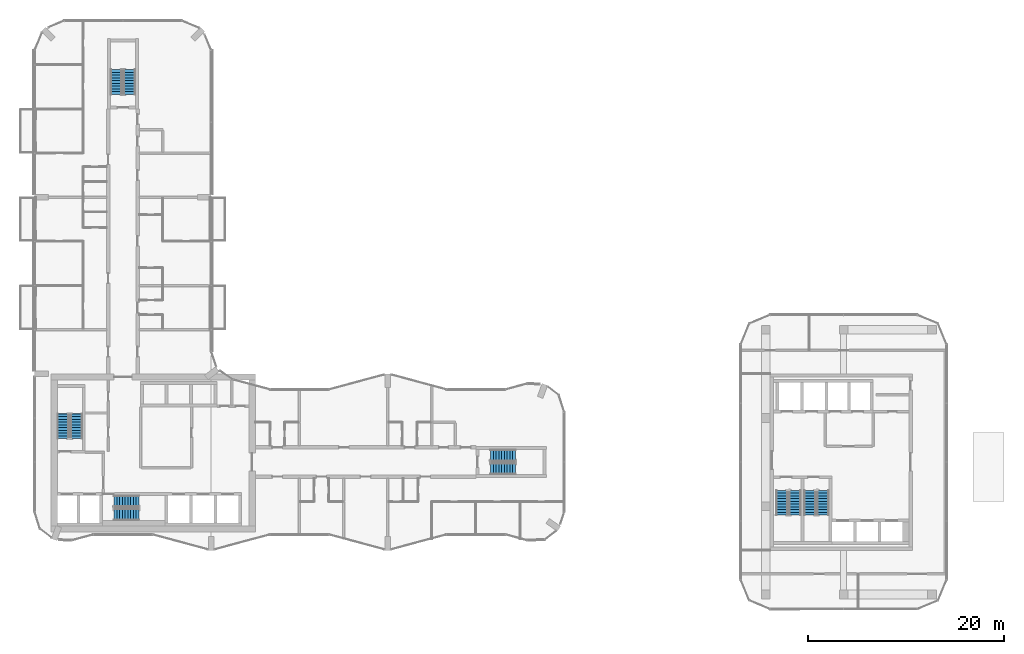
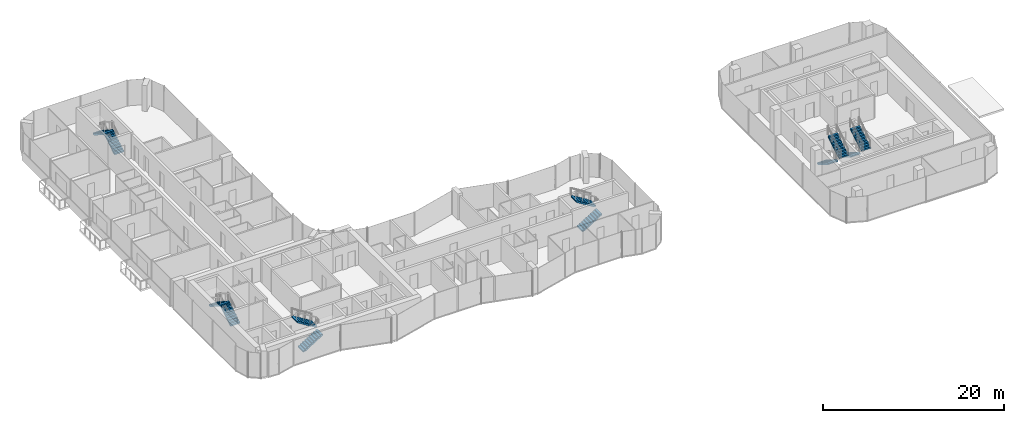
# One storey, part 16 of 19: 12 stair flights, 6 elements without a shape of their own.
"""IFC4 building model written with IfcOpenShell, lengths in metres."""

from ifc_helpers import new_model, si_unit, direction, frame, origin, place, context, subcontext, project, spatial, polyline, outline, extrude, material, type_object, element, aggregate, save


model = new_model("IFC4")

# Units and contexts
model_context = context("Model", 3, precision=1e-05, world=origin(), true_north=direction((0.0, 1.0)))
body_context = subcontext(model_context, "Body", "Model", "MODEL_VIEW")
ifc_project = project(units=[si_unit("LENGTHUNIT", "METRE"), si_unit("AREAUNIT", "SQUARE_METRE"), si_unit("VOLUMEUNIT", "CUBIC_METRE"), si_unit("PLANEANGLEUNIT", "RADIAN"), si_unit("MASSUNIT", "GRAM", prefix="KILO")], contexts=[model_context])

# Site, building, storey
site_placement = place(None, origin())
site = spatial("IfcSite", under=ifc_project, at=site_placement, CompositionType="ELEMENT")
building_placement = place(site_placement, origin())
building = spatial("IfcBuilding", under=site, at=building_placement, Name="Plateau Cross Towers", CompositionType="ELEMENT")
storey_placement = place(building_placement, frame((0.0, 0.0, 120.300048828125)))
storey = spatial("IfcBuildingStorey", under=building, at=storey_placement, Name="L31", CompositionType="ELEMENT", Elevation=120.300048828125)

# Stair, stair flights
ifc_material = material(Name="Concrete C40/50", Category="concrete")
stair_type = type_object("IfcStairType", Name="ST-TWR", PredefinedType="HALF_TURN_STAIR", material=ifc_material)
stair_1_placement = place(storey_placement, origin())
stair_1 = element("IfcStair", 1, at=stair_1_placement, inside=storey, type_object=stair_type, Name="L31 Protected Exit Stair ST-1", PredefinedType="HALF_TURN_STAIR")
stair_flight_type = type_object("IfcStairFlightType", Name="SFL-RC", PredefinedType="STRAIGHT", material=ifc_material)
stair_flight_1_placement = place(storey_placement, frame((4.25, 11.39990234375, 0.0), z_axis=(0.0, 0.0, 1.0), x_axis=(0.0, 1.0, 0.0)))
stair_flight_1 = element("IfcStairFlight", 2, at=stair_flight_1_placement, type_object=stair_flight_type, Name="ST-1 flight 1", NumberOfRisers=10, NumberOfTreads=9, PredefinedType="STRAIGHT", RiserHeight=0.175, TreadLength=0.28, context=body_context, shape_type="SweptSolid", body=[
    extrude(outline(polyline([(-0.0048828125, -0.010009765625), (-0.0048828125, 0.0), (0.0, 0.0), (0.0, 0.175048828125), (0.280029296875, 0.175048828125), (0.280029296875, 0.35009765625), (0.56005859375, 0.35009765625), (0.56005859375, 0.52490234375), (0.840087890625, 0.52490234375), (0.840087890625, 0.699951171875), (1.1201171875, 0.699951171875), (1.1201171875, 0.875), (1.39990234375, 0.875), (1.39990234375, 1.050048828125), (1.679931640625, 1.050048828125), (1.679931640625, 1.22509765625), (1.9599609375, 1.22509765625), (1.9599609375, 1.39990234375), (2.239990234375, 1.39990234375), (2.239990234375, 1.574951171875), (2.52001953125, 1.574951171875), (2.52490234375, 1.56494140625), (2.52490234375, 1.398193359375), (2.52001953125, 1.398193359375), (0.28271484375, 0.0), (0.02001953125, 0.0), (0.02001953125, -0.010009765625), (-0.0048828125, -0.010009765625)])), frame((0.0, 0.60009765625, 0.0), z_axis=(0.0, -1.0, 0.0), x_axis=(1.0, 0.0, 0.0)), (0.0, 0.0, 1.0), 1.199951171875),
])
stair_flight_2_placement = place(storey_placement, frame((2.89990234375, 13.919921875, 1.75), z_axis=(0.0, 0.0, 1.0), x_axis=(0.0, -1.0, 0.0)))
stair_flight_2 = element("IfcStairFlight", 3, at=stair_flight_2_placement, type_object=stair_flight_type, Name="ST-1 flight 2", NumberOfRisers=10, NumberOfTreads=9, PredefinedType="STRAIGHT", RiserHeight=0.175, TreadLength=0.28, context=body_context, shape_type="SweptSolid", body=[
    extrude(outline(polyline([(-0.0048828125, -0.010009765625), (-0.0048828125, 0.0), (0.0, 0.0), (0.0, 0.175048828125), (0.280029296875, 0.175048828125), (0.280029296875, 0.35009765625), (0.56005859375, 0.35009765625), (0.56005859375, 0.52490234375), (0.840087890625, 0.52490234375), (0.840087890625, 0.699951171875), (1.1201171875, 0.699951171875), (1.1201171875, 0.875), (1.39990234375, 0.875), (1.39990234375, 1.050048828125), (1.679931640625, 1.050048828125), (1.679931640625, 1.22509765625), (1.9599609375, 1.22509765625), (1.9599609375, 1.39990234375), (2.239990234375, 1.39990234375), (2.239990234375, 1.574951171875), (2.52001953125, 1.574951171875), (2.52490234375, 1.56494140625), (2.52490234375, 1.398193359375), (2.52001953125, 1.398193359375), (0.28271484375, 0.0), (0.02001953125, 0.0), (0.02001953125, -0.010009765625), (-0.0048828125, -0.010009765625)])), frame((0.0, 0.60009765625, 0.0), z_axis=(0.0, -1.0, 0.0), x_axis=(1.0, 0.0, 0.0)), (0.0, 0.0, 1.0), 1.199951171875),
])
aggregate(stair_1, [stair_flight_1, stair_flight_2])

stair_2_placement = place(storey_placement, origin())
stair_2 = element("IfcStair", 4, at=stair_2_placement, inside=storey, type_object=stair_type, Name="L31 Protected Exit Stair ST-2", PredefinedType="HALF_TURN_STAIR")
stair_flight_3_placement = place(storey_placement, frame((8.10009765625, 3.64990234375, 0.0), z_axis=(0.0, 0.0, 1.0), x_axis=(1.0, 0.0, 0.0)))
stair_flight_3 = element("IfcStairFlight", 5, at=stair_flight_3_placement, type_object=stair_flight_type, Name="ST-2 flight 1", NumberOfRisers=10, NumberOfTreads=9, PredefinedType="STRAIGHT", RiserHeight=0.175, TreadLength=0.28, context=body_context, shape_type="SweptSolid", body=[
    extrude(outline(polyline([(-0.0048828125, -0.010009765625), (-0.0048828125, 0.0), (0.0, 0.0), (0.0, 0.175048828125), (0.280029296875, 0.175048828125), (0.280029296875, 0.35009765625), (0.56005859375, 0.35009765625), (0.56005859375, 0.52490234375), (0.840087890625, 0.52490234375), (0.840087890625, 0.699951171875), (1.1201171875, 0.699951171875), (1.1201171875, 0.875), (1.39990234375, 0.875), (1.39990234375, 1.050048828125), (1.679931640625, 1.050048828125), (1.679931640625, 1.22509765625), (1.9599609375, 1.22509765625), (1.9599609375, 1.39990234375), (2.239990234375, 1.39990234375), (2.239990234375, 1.574951171875), (2.52001953125, 1.574951171875), (2.52490234375, 1.56494140625), (2.52490234375, 1.398193359375), (2.52001953125, 1.398193359375), (0.28271484375, 0.0), (0.02001953125, 0.0), (0.02001953125, -0.010009765625), (-0.0048828125, -0.010009765625)])), frame((0.0, 0.60009765625, 0.0), z_axis=(0.0, -1.0, 0.0), x_axis=(1.0, 0.0, 0.0)), (0.0, 0.0, 1.0), 1.199951171875),
])
stair_flight_4_placement = place(storey_placement, frame((10.6201171875, 5.0, 1.75), z_axis=(0.0, 0.0, 1.0), x_axis=(-1.0, 0.0, 0.0)))
stair_flight_4 = element("IfcStairFlight", 6, at=stair_flight_4_placement, type_object=stair_flight_type, Name="ST-2 flight 2", NumberOfRisers=10, NumberOfTreads=9, PredefinedType="STRAIGHT", RiserHeight=0.175, TreadLength=0.28, context=body_context, shape_type="SweptSolid", body=[
    extrude(outline(polyline([(-0.0048828125, -0.010009765625), (-0.0048828125, 0.0), (0.0, 0.0), (0.0, 0.175048828125), (0.280029296875, 0.175048828125), (0.280029296875, 0.35009765625), (0.56005859375, 0.35009765625), (0.56005859375, 0.52490234375), (0.840087890625, 0.52490234375), (0.840087890625, 0.699951171875), (1.1201171875, 0.699951171875), (1.1201171875, 0.875), (1.39990234375, 0.875), (1.39990234375, 1.050048828125), (1.679931640625, 1.050048828125), (1.679931640625, 1.22509765625), (1.9599609375, 1.22509765625), (1.9599609375, 1.39990234375), (2.239990234375, 1.39990234375), (2.239990234375, 1.574951171875), (2.52001953125, 1.574951171875), (2.52490234375, 1.56494140625), (2.52490234375, 1.398193359375), (2.52001953125, 1.398193359375), (0.28271484375, 0.0), (0.02001953125, 0.0), (0.02001953125, -0.010009765625), (-0.0048828125, -0.010009765625)])), frame((0.0, 0.60009765625, 0.0), z_axis=(0.0, -1.0, 0.0), x_axis=(1.0, 0.0, 0.0)), (0.0, 0.0, 1.0), 1.199951171875),
])
aggregate(stair_2, [stair_flight_3, stair_flight_4])

stair_3_placement = place(storey_placement, origin())
stair_3 = element("IfcStair", 7, at=stair_3_placement, inside=storey, type_object=stair_type, Name="L31 Protected Exit Stair SB-1", PredefinedType="HALF_TURN_STAIR")
stair_flight_5_placement = place(storey_placement, frame((76.199951171875, 6.10009765625, 0.0), z_axis=(0.0, 0.0, 1.0), x_axis=(0.0, -1.0, 0.0)))
stair_flight_5 = element("IfcStairFlight", 8, at=stair_flight_5_placement, type_object=stair_flight_type, Name="SB-1 flight 1", NumberOfRisers=10, NumberOfTreads=9, PredefinedType="STRAIGHT", RiserHeight=0.175, TreadLength=0.28, context=body_context, shape_type="SweptSolid", body=[
    extrude(outline(polyline([(-0.0048828125, -0.010009765625), (-0.0048828125, 0.0), (0.0, 0.0), (0.0, 0.175048828125), (0.280029296875, 0.175048828125), (0.280029296875, 0.35009765625), (0.56005859375, 0.35009765625), (0.56005859375, 0.52490234375), (0.840087890625, 0.52490234375), (0.840087890625, 0.699951171875), (1.1201171875, 0.699951171875), (1.1201171875, 0.875), (1.39990234375, 0.875), (1.39990234375, 1.050048828125), (1.679931640625, 1.050048828125), (1.679931640625, 1.22509765625), (1.9599609375, 1.22509765625), (1.9599609375, 1.39990234375), (2.239990234375, 1.39990234375), (2.239990234375, 1.574951171875), (2.52001953125, 1.574951171875), (2.52490234375, 1.56494140625), (2.52490234375, 1.398193359375), (2.52001953125, 1.398193359375), (0.28271484375, 0.0), (0.02001953125, 0.0), (0.02001953125, -0.010009765625), (-0.0048828125, -0.010009765625)])), frame((0.0, 0.60009765625, 0.0), z_axis=(0.0, -1.0, 0.0), x_axis=(1.0, 0.0, 0.0)), (0.0, 0.0, 1.0), 1.199951171875),
])
stair_flight_6_placement = place(storey_placement, frame((77.550048828125, 3.580078125, 1.75), z_axis=(0.0, 0.0, 1.0), x_axis=(0.0, 1.0, 0.0)))
stair_flight_6 = element("IfcStairFlight", 9, at=stair_flight_6_placement, type_object=stair_flight_type, Name="SB-1 flight 2", NumberOfRisers=10, NumberOfTreads=9, PredefinedType="STRAIGHT", RiserHeight=0.175, TreadLength=0.28, context=body_context, shape_type="SweptSolid", body=[
    extrude(outline(polyline([(-0.0048828125, -0.010009765625), (-0.0048828125, 0.0), (0.0, 0.0), (0.0, 0.175048828125), (0.280029296875, 0.175048828125), (0.280029296875, 0.35009765625), (0.56005859375, 0.35009765625), (0.56005859375, 0.52490234375), (0.840087890625, 0.52490234375), (0.840087890625, 0.699951171875), (1.1201171875, 0.699951171875), (1.1201171875, 0.875), (1.39990234375, 0.875), (1.39990234375, 1.050048828125), (1.679931640625, 1.050048828125), (1.679931640625, 1.22509765625), (1.9599609375, 1.22509765625), (1.9599609375, 1.39990234375), (2.239990234375, 1.39990234375), (2.239990234375, 1.574951171875), (2.52001953125, 1.574951171875), (2.52490234375, 1.56494140625), (2.52490234375, 1.398193359375), (2.52001953125, 1.398193359375), (0.28271484375, 0.0), (0.02001953125, 0.0), (0.02001953125, -0.010009765625), (-0.0048828125, -0.010009765625)])), frame((0.0, 0.60009765625, 0.0), z_axis=(0.0, -1.0, 0.0), x_axis=(1.0, 0.0, 0.0)), (0.0, 0.0, 1.0), 1.199951171875),
])
aggregate(stair_3, [stair_flight_5, stair_flight_6])

stair_4_placement = place(storey_placement, origin())
stair_4 = element("IfcStair", 10, at=stair_4_placement, inside=storey, type_object=stair_type, Name="L31 Protected Exit Stair SB-2", PredefinedType="HALF_TURN_STAIR")
stair_flight_7_placement = place(storey_placement, frame((79.050048828125, 6.10009765625, 0.0), z_axis=(0.0, 0.0, 1.0), x_axis=(0.0, -1.0, 0.0)))
stair_flight_7 = element("IfcStairFlight", 11, at=stair_flight_7_placement, type_object=stair_flight_type, Name="SB-2 flight 1", NumberOfRisers=10, NumberOfTreads=9, PredefinedType="STRAIGHT", RiserHeight=0.175, TreadLength=0.28, context=body_context, shape_type="SweptSolid", body=[
    extrude(outline(polyline([(-0.0048828125, -0.010009765625), (-0.0048828125, 0.0), (0.0, 0.0), (0.0, 0.175048828125), (0.280029296875, 0.175048828125), (0.280029296875, 0.35009765625), (0.56005859375, 0.35009765625), (0.56005859375, 0.52490234375), (0.840087890625, 0.52490234375), (0.840087890625, 0.699951171875), (1.1201171875, 0.699951171875), (1.1201171875, 0.875), (1.39990234375, 0.875), (1.39990234375, 1.050048828125), (1.679931640625, 1.050048828125), (1.679931640625, 1.22509765625), (1.9599609375, 1.22509765625), (1.9599609375, 1.39990234375), (2.239990234375, 1.39990234375), (2.239990234375, 1.574951171875), (2.52001953125, 1.574951171875), (2.52490234375, 1.56494140625), (2.52490234375, 1.398193359375), (2.52001953125, 1.398193359375), (0.28271484375, 0.0), (0.02001953125, 0.0), (0.02001953125, -0.010009765625), (-0.0048828125, -0.010009765625)])), frame((0.0, 0.60009765625, 0.0), z_axis=(0.0, -1.0, 0.0), x_axis=(1.0, 0.0, 0.0)), (0.0, 0.0, 1.0), 1.199951171875),
])
stair_flight_8_placement = place(storey_placement, frame((80.39990234375, 3.580078125, 1.75), z_axis=(0.0, 0.0, 1.0), x_axis=(0.0, 1.0, 0.0)))
stair_flight_8 = element("IfcStairFlight", 12, at=stair_flight_8_placement, type_object=stair_flight_type, Name="SB-2 flight 2", NumberOfRisers=10, NumberOfTreads=9, PredefinedType="STRAIGHT", RiserHeight=0.175, TreadLength=0.28, context=body_context, shape_type="SweptSolid", body=[
    extrude(outline(polyline([(-0.0048828125, -0.010009765625), (-0.0048828125, 0.0), (0.0, 0.0), (0.0, 0.175048828125), (0.280029296875, 0.175048828125), (0.280029296875, 0.35009765625), (0.56005859375, 0.35009765625), (0.56005859375, 0.52490234375), (0.840087890625, 0.52490234375), (0.840087890625, 0.699951171875), (1.1201171875, 0.699951171875), (1.1201171875, 0.875), (1.39990234375, 0.875), (1.39990234375, 1.050048828125), (1.679931640625, 1.050048828125), (1.679931640625, 1.22509765625), (1.9599609375, 1.22509765625), (1.9599609375, 1.39990234375), (2.239990234375, 1.39990234375), (2.239990234375, 1.574951171875), (2.52001953125, 1.574951171875), (2.52490234375, 1.56494140625), (2.52490234375, 1.398193359375), (2.52001953125, 1.398193359375), (0.28271484375, 0.0), (0.02001953125, 0.0), (0.02001953125, -0.010009765625), (-0.0048828125, -0.010009765625)])), frame((0.0, 0.60009765625, 0.0), z_axis=(0.0, -1.0, 0.0), x_axis=(1.0, 0.0, 0.0)), (0.0, 0.0, 1.0), 1.199951171875),
])
aggregate(stair_4, [stair_flight_7, stair_flight_8])

stair_5_placement = place(storey_placement, origin())
stair_5 = element("IfcStair", 13, at=stair_5_placement, inside=storey, type_object=stair_type, Name="L31 Protected Exit Stair E", PredefinedType="HALF_TURN_STAIR")
stair_flight_9_placement = place(storey_placement, frame((46.5, 8.324951171875, 0.0), z_axis=(0.0, 0.0, 1.0), x_axis=(1.0, 0.0, 0.0)))
stair_flight_9 = element("IfcStairFlight", 14, at=stair_flight_9_placement, type_object=stair_flight_type, Name="ES-E flight 1", NumberOfRisers=10, NumberOfTreads=9, PredefinedType="STRAIGHT", RiserHeight=0.175, TreadLength=0.28, context=body_context, shape_type="SweptSolid", body=[
    extrude(outline(polyline([(-0.0048828125, -0.010009765625), (-0.0048828125, 0.0), (0.0, 0.0), (0.0, 0.175048828125), (0.280029296875, 0.175048828125), (0.280029296875, 0.35009765625), (0.56005859375, 0.35009765625), (0.56005859375, 0.52490234375), (0.840087890625, 0.52490234375), (0.840087890625, 0.699951171875), (1.1201171875, 0.699951171875), (1.1201171875, 0.875), (1.39990234375, 0.875), (1.39990234375, 1.050048828125), (1.679931640625, 1.050048828125), (1.679931640625, 1.22509765625), (1.9599609375, 1.22509765625), (1.9599609375, 1.39990234375), (2.239990234375, 1.39990234375), (2.239990234375, 1.574951171875), (2.52001953125, 1.574951171875), (2.52490234375, 1.56494140625), (2.52490234375, 1.398193359375), (2.52001953125, 1.398193359375), (0.28271484375, 0.0), (0.02001953125, 0.0), (0.02001953125, -0.010009765625), (-0.0048828125, -0.010009765625)])), frame((0.0, 0.60009765625, 0.0), z_axis=(0.0, -1.0, 0.0), x_axis=(1.0, 0.0, 0.0)), (0.0, 0.0, 1.0), 1.199951171875),
])
stair_flight_10_placement = place(storey_placement, frame((49.02001953125, 9.675048828125, 1.75), z_axis=(0.0, 0.0, 1.0), x_axis=(-1.0, 0.0, 0.0)))
stair_flight_10 = element("IfcStairFlight", 15, at=stair_flight_10_placement, type_object=stair_flight_type, Name="ES-E flight 2", NumberOfRisers=10, NumberOfTreads=9, PredefinedType="STRAIGHT", RiserHeight=0.175, TreadLength=0.28, context=body_context, shape_type="SweptSolid", body=[
    extrude(outline(polyline([(-0.0048828125, -0.010009765625), (-0.0048828125, 0.0), (0.0, 0.0), (0.0, 0.175048828125), (0.280029296875, 0.175048828125), (0.280029296875, 0.35009765625), (0.56005859375, 0.35009765625), (0.56005859375, 0.52490234375), (0.840087890625, 0.52490234375), (0.840087890625, 0.699951171875), (1.1201171875, 0.699951171875), (1.1201171875, 0.875), (1.39990234375, 0.875), (1.39990234375, 1.050048828125), (1.679931640625, 1.050048828125), (1.679931640625, 1.22509765625), (1.9599609375, 1.22509765625), (1.9599609375, 1.39990234375), (2.239990234375, 1.39990234375), (2.239990234375, 1.574951171875), (2.52001953125, 1.574951171875), (2.52490234375, 1.56494140625), (2.52490234375, 1.398193359375), (2.52001953125, 1.398193359375), (0.28271484375, 0.0), (0.02001953125, 0.0), (0.02001953125, -0.010009765625), (-0.0048828125, -0.010009765625)])), frame((0.0, 0.60009765625, 0.0), z_axis=(0.0, -1.0, 0.0), x_axis=(1.0, 0.0, 0.0)), (0.0, 0.0, 1.0), 1.199951171875),
])
aggregate(stair_5, [stair_flight_9, stair_flight_10])

stair_6_placement = place(storey_placement, origin())
stair_6 = element("IfcStair", 16, at=stair_6_placement, inside=storey, type_object=stair_type, Name="L31 Protected Exit Stair N", PredefinedType="HALF_TURN_STAIR")
stair_flight_11_placement = place(storey_placement, frame((9.675048828125, 46.5, 0.0), z_axis=(0.0, 0.0, 1.0), x_axis=(0.0, 1.0, 0.0)))
stair_flight_11 = element("IfcStairFlight", 17, at=stair_flight_11_placement, type_object=stair_flight_type, Name="ES-N flight 1", NumberOfRisers=10, NumberOfTreads=9, PredefinedType="STRAIGHT", RiserHeight=0.175, TreadLength=0.28, context=body_context, shape_type="SweptSolid", body=[
    extrude(outline(polyline([(-0.0048828125, -0.010009765625), (-0.0048828125, 0.0), (0.0, 0.0), (0.0, 0.175048828125), (0.280029296875, 0.175048828125), (0.280029296875, 0.35009765625), (0.56005859375, 0.35009765625), (0.56005859375, 0.52490234375), (0.840087890625, 0.52490234375), (0.840087890625, 0.699951171875), (1.1201171875, 0.699951171875), (1.1201171875, 0.875), (1.39990234375, 0.875), (1.39990234375, 1.050048828125), (1.679931640625, 1.050048828125), (1.679931640625, 1.22509765625), (1.9599609375, 1.22509765625), (1.9599609375, 1.39990234375), (2.239990234375, 1.39990234375), (2.239990234375, 1.574951171875), (2.52001953125, 1.574951171875), (2.52490234375, 1.56494140625), (2.52490234375, 1.398193359375), (2.52001953125, 1.398193359375), (0.28271484375, 0.0), (0.02001953125, 0.0), (0.02001953125, -0.010009765625), (-0.0048828125, -0.010009765625)])), frame((0.0, 0.60009765625, 0.0), z_axis=(0.0, -1.0, 0.0), x_axis=(1.0, 0.0, 0.0)), (0.0, 0.0, 1.0), 1.199951171875),
])
stair_flight_12_placement = place(storey_placement, frame((8.324951171875, 49.02001953125, 1.75), z_axis=(0.0, 0.0, 1.0), x_axis=(0.0, -1.0, 0.0)))
stair_flight_12 = element("IfcStairFlight", 18, at=stair_flight_12_placement, type_object=stair_flight_type, Name="ES-N flight 2", NumberOfRisers=10, NumberOfTreads=9, PredefinedType="STRAIGHT", RiserHeight=0.175, TreadLength=0.28, context=body_context, shape_type="SweptSolid", body=[
    extrude(outline(polyline([(-0.0048828125, -0.010009765625), (-0.0048828125, 0.0), (0.0, 0.0), (0.0, 0.175048828125), (0.280029296875, 0.175048828125), (0.280029296875, 0.35009765625), (0.56005859375, 0.35009765625), (0.56005859375, 0.52490234375), (0.840087890625, 0.52490234375), (0.840087890625, 0.699951171875), (1.1201171875, 0.699951171875), (1.1201171875, 0.875), (1.39990234375, 0.875), (1.39990234375, 1.050048828125), (1.679931640625, 1.050048828125), (1.679931640625, 1.22509765625), (1.9599609375, 1.22509765625), (1.9599609375, 1.39990234375), (2.239990234375, 1.39990234375), (2.239990234375, 1.574951171875), (2.52001953125, 1.574951171875), (2.52490234375, 1.56494140625), (2.52490234375, 1.398193359375), (2.52001953125, 1.398193359375), (0.28271484375, 0.0), (0.02001953125, 0.0), (0.02001953125, -0.010009765625), (-0.0048828125, -0.010009765625)])), frame((0.0, 0.60009765625, 0.0), z_axis=(0.0, -1.0, 0.0), x_axis=(1.0, 0.0, 0.0)), (0.0, 0.0, 1.0), 1.199951171875),
])
aggregate(stair_6, [stair_flight_11, stair_flight_12])

save(model, "model.ifc")
